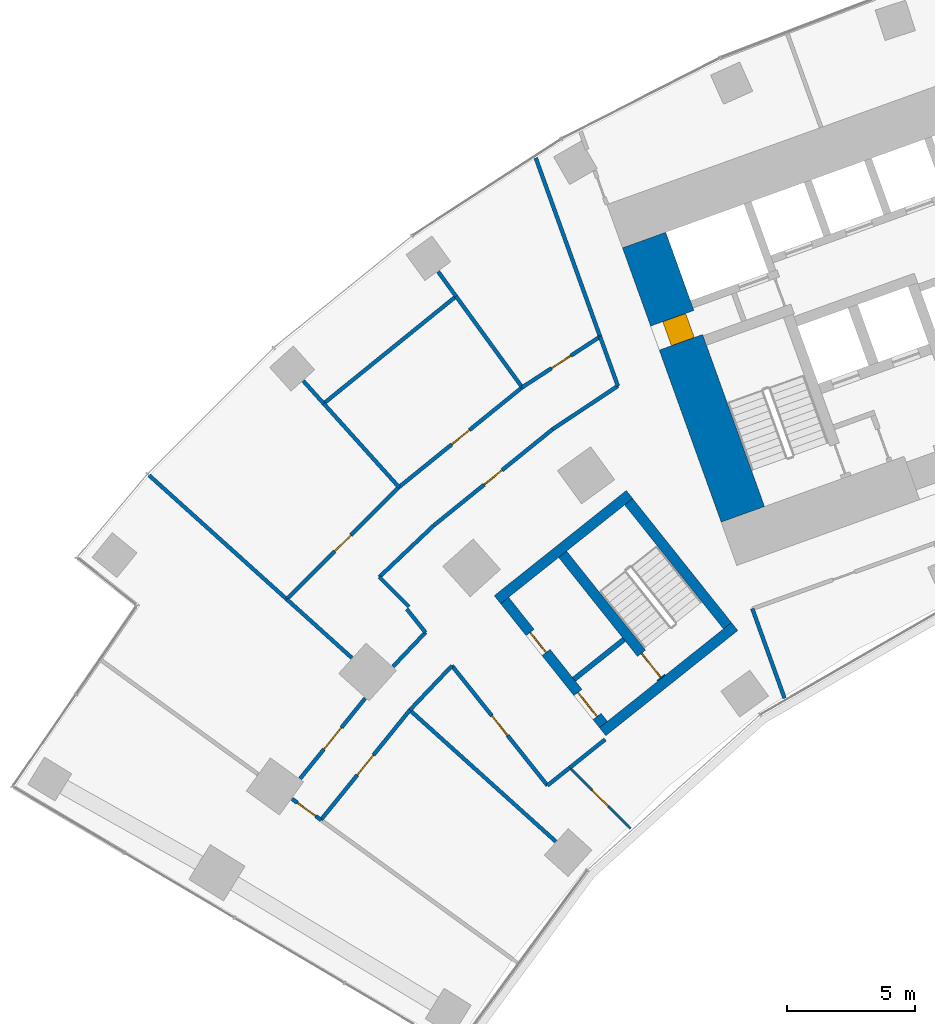
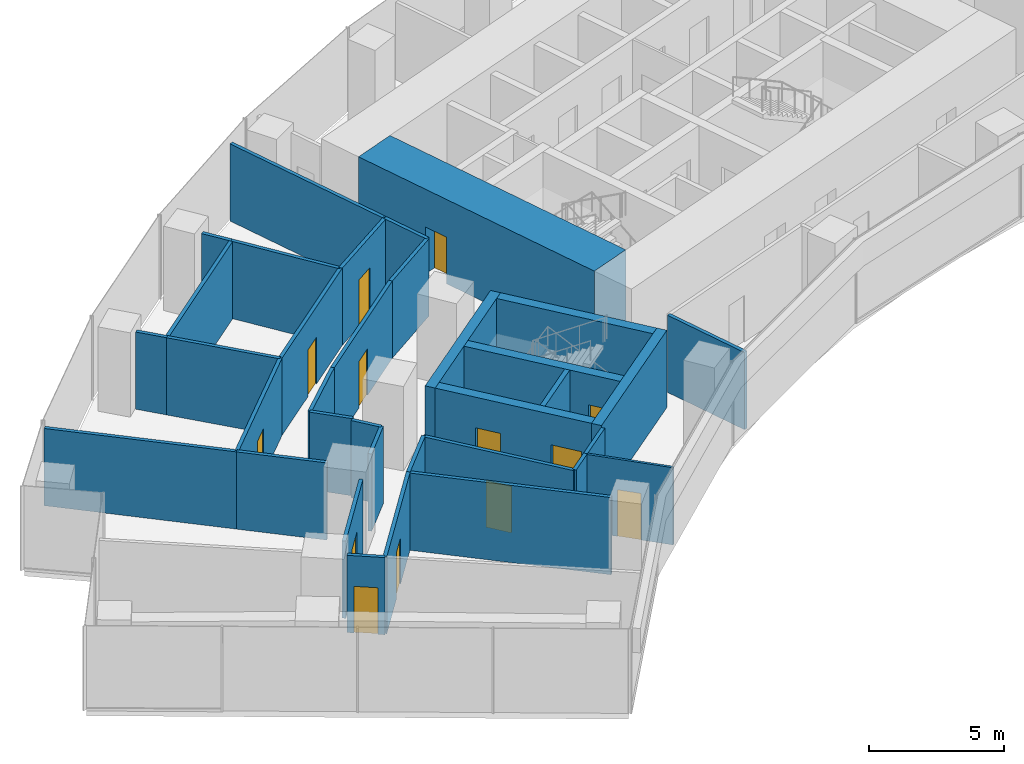
# One storey, part 14 of 21: 35 walls, 13 doors, 13 openings.
"""IFC4 building model written with IfcOpenShell, lengths in metres."""

from ifc_helpers import new_model, si_unit, direction, frame, frame_2d, origin, place, context, subcontext, project, spatial, rectangle, extrude, material, layer, layer_set, type_object, element, fill, save


model = new_model("IFC4")

# Units and contexts
model_context = context("Model", 3, precision=1e-05, world=origin(), true_north=direction((0.0, 1.0)))
body_context = subcontext(model_context, "Body", "Model", "MODEL_VIEW")
ifc_project = project(units=[si_unit("LENGTHUNIT", "METRE"), si_unit("AREAUNIT", "SQUARE_METRE"), si_unit("VOLUMEUNIT", "CUBIC_METRE"), si_unit("PLANEANGLEUNIT", "RADIAN"), si_unit("MASSUNIT", "GRAM", prefix="KILO")], contexts=[model_context])

# Site, building, storey
site_placement = place(None, origin())
site = spatial("IfcSite", under=ifc_project, at=site_placement, CompositionType="ELEMENT")
building_placement = place(site_placement, origin())
building = spatial("IfcBuilding", under=site, at=building_placement, Name="Stone Belt Terrace Tower", CompositionType="ELEMENT")
storey_placement = place(building_placement, frame((0.0, 0.0, 49.0)))
storey = spatial("IfcBuildingStorey", under=building, at=storey_placement, Name="L11", CompositionType="ELEMENT", Elevation=49.0)

# Wall, opening, door
ifc_material_1 = material(Name="Concrete B80", Category="concrete")
ifc_layer_1 = layer(ifc_material_1, 1.800048828125)
ifc_layer_set_1 = layer_set([ifc_layer_1], Name="Core wall 1800 B80")
wall_type_1 = type_object("IfcWallType", Name="Core wall 1800 B80", PredefinedType="SHEAR", material=ifc_layer_set_1)
wall_1_placement = place(storey_placement, frame((-26.197509765625, 42.96728515625, 0.0), z_axis=(0.0, 0.0, 1.0), x_axis=(-0.338625431531, 0.940921259788, 0.0)))
wall_1 = element("IfcWall", 1, at=wall_1_placement, inside=storey, type_object=wall_type_1, Name="Core A wall end_a L11", PredefinedType="SHEAR", context=body_context, shape_type="SweptSolid", body=[
    extrude(rectangle(XDim=11.400146484375, YDim=1.800048828125, at=frame_2d((5.7001953125, 0.0))), origin(), (0.0, 0.0, 1.0), 3.800048828125),
])
opening_1_placement = place(wall_1_placement, frame((7.150146484375, 0.0, 0.0)))
opening_1 = element("IfcOpeningElement", 2, at=opening_1_placement, cuts=wall_1, Name="Opening L11-C01", PredefinedType="OPENING", context=body_context, shape_type="SweptSolid", body=[
    extrude(rectangle(XDim=1.0, YDim=2.10009765625, at=frame_2d((0.5, 1.050048828125))), frame((0.0, 0.909912109375, 0.0), z_axis=(0.0, -1.0, 0.0), x_axis=(1.0, 0.0, 0.0)), (0.0, 0.0, 1.0), 1.820068359375),
])
ifc_material_2 = material(Name="Timber door leaf", Category="wood")
door_type_1 = type_object("IfcDoorType", Name="Core room door 1000", OperationType="SINGLE_SWING_LEFT", PredefinedType="DOOR", material=ifc_material_2)
door_1_placement = place(opening_1_placement, origin())
door_1 = element("IfcDoor", 3, at=door_1_placement, inside=storey, type_object=door_type_1, Name="Door to Telecommunications riser room core A", OperationType="SINGLE_SWING_RIGHT", OverallHeight=2.10009765625, OverallWidth=1.0, PredefinedType="DOOR", context=body_context, shape_type="SweptSolid", body=[
    extrude(rectangle(XDim=1.0, YDim=2.10009765625, at=frame_2d((0.5, 1.050048828125))), frame((0.0, 0.39501953125, 0.0), z_axis=(0.0, -1.0, 0.0), x_axis=(1.0, 0.0, 0.0)), (0.0, 0.0, 1.0), 0.949951171875),
])
fill(opening_1, door_1)

ifc_material_3 = material(Name="Gypsum board partition")
ifc_layer_2 = layer(ifc_material_3, 0.10009765625)
ifc_layer_set_2 = layer_set([ifc_layer_2], Name="PARTITION 100")
wall_type_2 = type_object("IfcWallType", Name="PARTITION 100", PredefinedType="PARTITIONING", material=ifc_layer_set_2)
wall_2_placement = place(storey_placement, frame((-32.968017578125, 33.06005859375, 0.0), z_axis=(0.0, 0.0, 1.0), x_axis=(0.706309715327, -0.707902949587, 0.0)))
wall_2 = element("IfcWall", 4, at=wall_2_placement, inside=storey, type_object=wall_type_2, Name="L11/wall/i049", PredefinedType="PARTITIONING", context=body_context, shape_type="SweptSolid", body=[
    extrude(rectangle(XDim=3.37109375, YDim=0.10009765625, at=frame_2d((1.685546875, 0.0))), origin(), (0.0, 0.0, 1.0), 3.47998046875),
])
opening_2_placement = place(wall_2_placement, frame((1.235595703125, 0.0, 0.0)))
opening_2 = element("IfcOpeningElement", 5, at=opening_2_placement, cuts=wall_2, Name="Opening D-A3-13", PredefinedType="OPENING", context=body_context, shape_type="SweptSolid", body=[
    extrude(rectangle(XDim=0.89990234375, YDim=2.10009765625, at=frame_2d((0.449951171875, 1.050048828125))), frame((0.0, 0.06005859375, 0.0), z_axis=(0.0, -1.0, 0.0), x_axis=(1.0, 0.0, 0.0)), (0.0, 0.0, 1.0), 0.1201171875),
])
door_type_2 = type_object("IfcDoorType", Name="OFFICE DOOR 900 X 2100", OperationType="NOTDEFINED", PredefinedType="DOOR", material=ifc_material_2)
door_2_placement = place(opening_2_placement, origin())
door_2 = element("IfcDoor", 6, at=door_2_placement, inside=storey, type_object=door_type_2, Name="L11/door/i13", OperationType="SINGLE_SWING_RIGHT", OverallHeight=2.10009765625, OverallWidth=0.89990234375, PredefinedType="DOOR", context=body_context, shape_type="SweptSolid", body=[
    extrude(rectangle(XDim=0.89990234375, YDim=2.10009765625, at=frame_2d((0.449951171875, 1.050048828125))), frame((0.0, 0.02490234375, 0.0), z_axis=(0.0, -1.0, 0.0), x_axis=(1.0, 0.0, 0.0)), (0.0, 0.0, 1.0), 0.050048828125),
])
fill(opening_2, door_2)

# Walls
ifc_layer_3 = layer(ifc_material_3, 0.14990234375)
ifc_layer_set_3 = layer_set([ifc_layer_3], Name="PARTITION 150 EI 60")
wall_type_3 = type_object("IfcWallType", Name="PARTITION 150 EI 60", PredefinedType="PARTITIONING", material=ifc_layer_set_3)
wall_3_placement = place(storey_placement, frame((-25.826904296875, 39.281005859375, 0.0), z_axis=(0.0, 0.0, 1.0), x_axis=(0.338392582605, -0.941005026574, 0.0)))
element("IfcWall", 7, at=wall_3_placement, inside=storey, type_object=wall_type_3, Name="L11/wall/i001", PredefinedType="PARTITIONING", context=body_context, shape_type="SweptSolid", body=[
    extrude(rectangle(XDim=3.729248046875, YDim=0.14990234375, at=frame_2d((1.86474609375, 0.0))), origin(), (0.0, 0.0, 1.0), 3.47998046875),
])
wall_4_placement = place(storey_placement, frame((-31.0830078125, 47.98193359375, 0.0), z_axis=(0.0, 0.0, 1.0), x_axis=(-0.338937449327, 0.940808910164, 0.0)))
element("IfcWall", 8, at=wall_4_placement, inside=storey, type_object=wall_type_3, Name="L11/wall/i004", PredefinedType="PARTITIONING", context=body_context, shape_type="SweptSolid", body=[
    extrude(rectangle(XDim=2.062255859375, YDim=0.14990234375, at=frame_2d((1.03125, 0.0))), origin(), (0.0, 0.0, 1.0), 3.47998046875),
])
wall_5_placement = place(storey_placement, frame((-31.778076171875, 49.909912109375, 0.0), z_axis=(0.0, 0.0, 1.0), x_axis=(-0.338711334353, 0.94089034004, 0.0)))
element("IfcWall", 9, at=wall_5_placement, inside=storey, type_object=wall_type_3, Name="L11/wall/i005", PredefinedType="PARTITIONING", context=body_context, shape_type="SweptSolid", body=[
    extrude(rectangle(XDim=7.43994140625, YDim=0.14990234375, at=frame_2d((3.719970703125, 0.0))), origin(), (0.0, 0.0, 1.0), 3.47998046875),
])

# Wall, opening, door
wall_6_placement = place(storey_placement, frame((-42.69091796875, 31.01611328125, 0.0), z_axis=(0.0, 0.0, 1.0), x_axis=(-0.809165251575, 0.587581139626, 0.0)))
wall_6 = element("IfcWall", 10, at=wall_6_placement, inside=storey, type_object=wall_type_3, Name="L11/wall/i034", PredefinedType="PARTITIONING", context=body_context, shape_type="SweptSolid", body=[
    extrude(rectangle(XDim=1.4013671875, YDim=0.14990234375, at=frame_2d((0.70068359375, 0.0))), origin(), (0.0, 0.0, 1.0), 3.47998046875),
])
opening_3_placement = place(wall_6_placement, frame((0.250732421875, 0.0, 0.0)))
opening_3 = element("IfcOpeningElement", 11, at=opening_3_placement, cuts=wall_6, Name="Opening D-A3-11", PredefinedType="OPENING", context=body_context, shape_type="SweptSolid", body=[
    extrude(rectangle(XDim=0.89990234375, YDim=2.10009765625, at=frame_2d((0.449951171875, 1.050048828125))), frame((0.0, 0.0849609375, 0.0), z_axis=(0.0, -1.0, 0.0), x_axis=(1.0, 0.0, 0.0)), (0.0, 0.0, 1.0), 0.169921875),
])
ifc_material_4 = material(Name="Timber fire door leaf", Category="wood")
door_type_3 = type_object("IfcDoorType", Name="TENANCY ENTRANCE DOOR 900 X 2100", OperationType="NOTDEFINED", PredefinedType="DOOR", material=ifc_material_4)
door_3_placement = place(opening_3_placement, origin())
door_3 = element("IfcDoor", 12, at=door_3_placement, inside=storey, type_object=door_type_3, Name="L11/door/i11", OperationType="SINGLE_SWING_RIGHT", OverallHeight=2.10009765625, OverallWidth=0.89990234375, PredefinedType="DOOR", context=body_context, shape_type="SweptSolid", body=[
    extrude(rectangle(XDim=0.89990234375, YDim=2.10009765625, at=frame_2d((0.449951171875, 1.050048828125))), frame((0.0, 0.02490234375, 0.0), z_axis=(0.0, -1.0, 0.0), x_axis=(1.0, 0.0, 0.0)), (0.0, 0.0, 1.0), 0.050048828125),
])
fill(opening_3, door_3)

# Walls
wall_7_placement = place(storey_placement, frame((-39.25, 39.35107421875, 0.0), z_axis=(0.0, 0.0, 1.0), x_axis=(-0.706216032574, 0.707996409126, 0.0)))
element("IfcWall", 13, at=wall_7_placement, inside=storey, type_object=wall_type_3, Name="L11/wall/i037", PredefinedType="PARTITIONING", context=body_context, shape_type="SweptSolid", body=[
    extrude(rectangle(XDim=1.6455078125, YDim=0.14990234375, at=frame_2d((0.82275390625, 0.0))), origin(), (0.0, 0.0, 1.0), 3.47998046875),
])
wall_8_placement = place(storey_placement, frame((-40.412109375, 40.51611328125, 0.0), z_axis=(0.0, 0.0, 1.0), x_axis=(0.725899989111, 0.687800265926, 0.0)))
element("IfcWall", 14, at=wall_8_placement, inside=storey, type_object=wall_type_3, Name="L11/wall/i038", PredefinedType="PARTITIONING", context=body_context, shape_type="SweptSolid", body=[
    extrude(rectangle(XDim=2.922119140625, YDim=0.14990234375, at=frame_2d((1.4609375, 0.0))), origin(), (0.0, 0.0, 1.0), 3.47998046875),
])

# Wall, opening, door
wall_9_placement = place(storey_placement, frame((-38.2900390625, 42.527099609375, 0.0), z_axis=(0.0, 0.0, 1.0), x_axis=(0.77714422733, 0.629322532513, 0.0)))
wall_9 = element("IfcWall", 15, at=wall_9_placement, inside=storey, type_object=wall_type_3, Name="L11/wall/i039", PredefinedType="PARTITIONING", context=body_context, shape_type="SweptSolid", body=[
    extrude(rectangle(XDim=5.98876953125, YDim=0.14990234375, at=frame_2d((2.994384765625, 0.0))), origin(), (0.0, 0.0, 1.0), 3.47998046875),
])
opening_4_placement = place(wall_9_placement, frame((2.54443359375, 0.0, 0.0)))
opening_4 = element("IfcOpeningElement", 16, at=opening_4_placement, cuts=wall_9, Name="Opening D-A3-15", PredefinedType="OPENING", context=body_context, shape_type="SweptSolid", body=[
    extrude(rectangle(XDim=0.89990234375, YDim=2.10009765625, at=frame_2d((0.449951171875, 1.050048828125))), frame((0.0, 0.0849609375, 0.0), z_axis=(0.0, -1.0, 0.0), x_axis=(1.0, 0.0, 0.0)), (0.0, 0.0, 1.0), 0.169921875),
])
door_4_placement = place(opening_4_placement, origin())
door_4 = element("IfcDoor", 17, at=door_4_placement, inside=storey, type_object=door_type_2, Name="L11/door/i15", OperationType="SINGLE_SWING_RIGHT", OverallHeight=2.10009765625, OverallWidth=0.89990234375, PredefinedType="DOOR", context=body_context, shape_type="SweptSolid", body=[
    extrude(rectangle(XDim=0.89990234375, YDim=2.10009765625, at=frame_2d((0.449951171875, 1.050048828125))), frame((0.0, 0.02490234375, 0.0), z_axis=(0.0, -1.0, 0.0), x_axis=(1.0, 0.0, 0.0)), (0.0, 0.0, 1.0), 0.050048828125),
])
fill(opening_4, door_4)

# Walls
wall_10_placement = place(storey_placement, frame((-33.635986328125, 46.2958984375, 0.0), z_axis=(0.0, 0.0, 1.0), x_axis=(0.833385857539, 0.552691607005, 0.0)))
element("IfcWall", 18, at=wall_10_placement, inside=storey, type_object=wall_type_3, Name="L11/wall/i040", PredefinedType="PARTITIONING", context=body_context, shape_type="SweptSolid", body=[
    extrude(rectangle(XDim=3.059814453125, YDim=0.14990234375, at=frame_2d((1.52978515625, 0.0))), origin(), (0.0, 0.0, 1.0), 3.47998046875),
])
wall_11_placement = place(storey_placement, frame((-37.56689453125, 37.052001953125, 0.0), z_axis=(0.0, 0.0, 1.0), x_axis=(-0.688757486719, -0.724991809946, 0.0)))
element("IfcWall", 19, at=wall_11_placement, inside=storey, type_object=wall_type_3, Name="L11/wall/i041", PredefinedType="PARTITIONING", context=body_context, shape_type="SweptSolid", body=[
    extrude(rectangle(XDim=2.398681640625, YDim=0.14990234375, at=frame_2d((1.19921875, 0.0))), origin(), (0.0, 0.0, 1.0), 3.47998046875),
])

# Wall, opening, door
wall_12_placement = place(storey_placement, frame((-39.218994140625, 35.31298828125, 0.0), z_axis=(0.0, 0.0, 1.0), x_axis=(-0.629393988906, -0.777086357318, 0.0)))
wall_12 = element("IfcWall", 20, at=wall_12_placement, inside=storey, type_object=wall_type_3, Name="L11/wall/i042", PredefinedType="PARTITIONING", context=body_context, shape_type="SweptSolid", body=[
    extrude(rectangle(XDim=5.5244140625, YDim=0.14990234375, at=frame_2d((2.76220703125, 0.0))), origin(), (0.0, 0.0, 1.0), 3.47998046875),
])
opening_5_placement = place(wall_12_placement, frame((2.26220703125, 0.0, 0.0)))
opening_5 = element("IfcOpeningElement", 21, at=opening_5_placement, cuts=wall_12, Name="Opening D-A3-14", PredefinedType="OPENING", context=body_context, shape_type="SweptSolid", body=[
    extrude(rectangle(XDim=1.0, YDim=2.10009765625, at=frame_2d((0.5, 1.050048828125))), frame((0.0, 0.0849609375, 0.0), z_axis=(0.0, -1.0, 0.0), x_axis=(1.0, 0.0, 0.0)), (0.0, 0.0, 1.0), 0.169921875),
])
door_type_4 = type_object("IfcDoorType", Name="TENANCY ENTRANCE DOOR 1000 X 2100", OperationType="NOTDEFINED", PredefinedType="DOOR", material=ifc_material_4)
door_5_placement = place(opening_5_placement, origin())
door_5 = element("IfcDoor", 22, at=door_5_placement, inside=storey, type_object=door_type_4, Name="L11/door/i14", OperationType="SINGLE_SWING_RIGHT", OverallHeight=2.10009765625, OverallWidth=1.0, PredefinedType="DOOR", context=body_context, shape_type="SweptSolid", body=[
    extrude(rectangle(XDim=1.0, YDim=2.10009765625, at=frame_2d((0.5, 1.050048828125))), frame((0.0, 0.02490234375, 0.0), z_axis=(0.0, -1.0, 0.0), x_axis=(1.0, 0.0, 0.0)), (0.0, 0.0, 1.0), 0.050048828125),
])
fill(opening_5, door_5)

# Wall
wall_13_placement = place(storey_placement, frame((-39.873779296875, 37.019287109375, 0.0), z_axis=(0.0, 0.0, 1.0), x_axis=(0.688718115667, 0.72502921124, 0.0)))
element("IfcWall", 23, at=wall_13_placement, inside=storey, type_object=wall_type_3, Name="L11/wall/i043", PredefinedType="PARTITIONING", context=body_context, shape_type="SweptSolid", body=[
    extrude(rectangle(XDim=1.84228515625, YDim=0.14990234375, at=frame_2d((0.921142578125, 0.0))), origin(), (0.0, 0.0, 1.0), 3.47998046875),
])

# Wall, opening, door
wall_14_placement = place(storey_placement, frame((-43.5078125, 32.63623046875, 0.0), z_axis=(0.0, 0.0, 1.0), x_axis=(0.629347927528, 0.777123662049, 0.0)))
wall_14 = element("IfcWall", 24, at=wall_14_placement, inside=storey, type_object=wall_type_3, Name="L11/wall/i044", PredefinedType="PARTITIONING", context=body_context, shape_type="SweptSolid", body=[
    extrude(rectangle(XDim=4.034423828125, YDim=0.14990234375, at=frame_2d((2.01708984375, 0.0))), origin(), (0.0, 0.0, 1.0), 3.47998046875),
])
opening_6_placement = place(wall_14_placement, frame((1.46728515625, 0.0, 0.0)))
opening_6 = element("IfcOpeningElement", 25, at=opening_6_placement, cuts=wall_14, Name="Opening D-A3-19", PredefinedType="OPENING", context=body_context, shape_type="SweptSolid", body=[
    extrude(rectangle(XDim=1.10009765625, YDim=2.10009765625, at=frame_2d((0.550048828125, 1.050048828125))), frame((0.0, 0.0849609375, 0.0), z_axis=(0.0, -1.0, 0.0), x_axis=(1.0, 0.0, 0.0)), (0.0, 0.0, 1.0), 0.169921875),
])
ifc_material_5 = material(Name="Steel fire door set", Category="steel")
door_type_5 = type_object("IfcDoorType", Name="SERVICE ROOM DOOR 1100 X 2100", OperationType="NOTDEFINED", PredefinedType="DOOR", material=ifc_material_5)
door_6_placement = place(opening_6_placement, origin())
door_6 = element("IfcDoor", 26, at=door_6_placement, inside=storey, type_object=door_type_5, Name="L11/door/i19", OperationType="SINGLE_SWING_RIGHT", OverallHeight=2.10009765625, OverallWidth=1.10009765625, PredefinedType="DOOR", context=body_context, shape_type="SweptSolid", body=[
    extrude(rectangle(XDim=1.10009765625, YDim=2.10009765625, at=frame_2d((0.550048828125, 1.050048828125))), frame((0.0, 0.02490234375, 0.0), z_axis=(0.0, -1.0, 0.0), x_axis=(1.0, 0.0, 0.0)), (0.0, 0.0, 1.0), 0.050048828125),
])
fill(opening_6, door_6)

# Wall
wall_15_placement = place(storey_placement, frame((-32.962890625, 33.06298828125, 0.0), z_axis=(0.0, 0.0, 1.0), x_axis=(-0.782502176307, -0.622647849169, 0.0)))
element("IfcWall", 27, at=wall_15_placement, inside=storey, type_object=wall_type_3, Name="L11/wall/i045", PredefinedType="PARTITIONING", context=body_context, shape_type="SweptSolid", body=[
    extrude(rectangle(XDim=1.12109375, YDim=0.14990234375, at=frame_2d((0.560546875, 0.0))), origin(), (0.0, 0.0, 1.0), 3.47998046875),
])

# Wall, opening, door
wall_16_placement = place(storey_placement, frame((-33.840087890625, 32.364990234375, 0.0), z_axis=(0.0, 0.0, 1.0), x_axis=(-0.623112520353, 0.782132205563, 0.0)))
wall_16 = element("IfcWall", 28, at=wall_16_placement, inside=storey, type_object=wall_type_3, Name="L11/wall/i046", PredefinedType="PARTITIONING", context=body_context, shape_type="SweptSolid", body=[
    extrude(rectangle(XDim=5.987548828125, YDim=0.14990234375, at=frame_2d((2.99365234375, 0.0))), origin(), (0.0, 0.0, 1.0), 3.47998046875),
])
opening_7_placement = place(wall_16_placement, frame((2.493896484375, 0.0, 0.0)))
opening_7 = element("IfcOpeningElement", 29, at=opening_7_placement, cuts=wall_16, Name="Opening D-A3-12", PredefinedType="OPENING", context=body_context, shape_type="SweptSolid", body=[
    extrude(rectangle(XDim=1.0, YDim=2.10009765625, at=frame_2d((0.5, 1.050048828125))), frame((0.0, 0.0849609375, 0.0), z_axis=(0.0, -1.0, 0.0), x_axis=(1.0, 0.0, 0.0)), (0.0, 0.0, 1.0), 0.169921875),
])
door_7_placement = place(opening_7_placement, origin())
door_7 = element("IfcDoor", 30, at=door_7_placement, inside=storey, type_object=door_type_4, Name="L11/door/i12", OperationType="SINGLE_SWING_RIGHT", OverallHeight=2.10009765625, OverallWidth=1.0, PredefinedType="DOOR", context=body_context, shape_type="SweptSolid", body=[
    extrude(rectangle(XDim=1.0, YDim=2.10009765625, at=frame_2d((0.5, 1.050048828125))), frame((0.0, 0.02490234375, 0.0), z_axis=(0.0, -1.0, 0.0), x_axis=(1.0, 0.0, 0.0)), (0.0, 0.0, 1.0), 0.050048828125),
])
fill(opening_7, door_7)

# Walls
wall_17_placement = place(storey_placement, frame((-31.5810546875, 34.1650390625, 0.0), z_axis=(0.0, 0.0, 1.0), x_axis=(-0.781845256464, -0.623472529422, 0.0)))
element("IfcWall", 31, at=wall_17_placement, inside=storey, type_object=wall_type_3, Name="L11/wall/i047", PredefinedType="PARTITIONING", context=body_context, shape_type="SweptSolid", body=[
    extrude(rectangle(XDim=1.779052734375, YDim=0.14990234375, at=frame_2d((0.8896484375, 0.0))), origin(), (0.0, 0.0, 1.0), 3.47998046875),
])
wall_18_placement = place(storey_placement, frame((-38.60888671875, 38.35009765625, 0.0), z_axis=(0.0, 0.0, 1.0), x_axis=(-0.623044650104, 0.782186271917, 0.0)))
element("IfcWall", 32, at=wall_18_placement, inside=storey, type_object=wall_type_3, Name="L11/wall/i048", PredefinedType="PARTITIONING", context=body_context, shape_type="SweptSolid", body=[
    extrude(rectangle(XDim=1.173583984375, YDim=0.14990234375, at=frame_2d((0.5869140625, 0.0))), origin(), (0.0, 0.0, 1.0), 3.47998046875),
])
wall_19_placement = place(storey_placement, frame((-33.515869140625, 30.177734375, 0.0), z_axis=(0.0, 0.0, 1.0), x_axis=(-0.743135942629, 0.669140471629, 0.0)))
element("IfcWall", 33, at=wall_19_placement, inside=storey, type_object=wall_type_3, Name="L11/wall/i050", PredefinedType="PARTITIONING", context=body_context, shape_type="SweptSolid", body=[
    extrude(rectangle(XDim=7.67431640625, YDim=0.14990234375, at=frame_2d((3.837158203125, 0.0))), origin(), (0.0, 0.0, 1.0), 3.47998046875),
])

# Wall, opening, door
wall_20_placement = place(storey_placement, frame((-44.030029296875, 39.64599609375, 0.0), z_axis=(0.0, 0.0, 1.0), x_axis=(0.707106781187, 0.707106781187, 0.0)))
wall_20 = element("IfcWall", 34, at=wall_20_placement, inside=storey, type_object=wall_type_3, Name="L11/wall/i051", PredefinedType="PARTITIONING", context=body_context, shape_type="SweptSolid", body=[
    extrude(rectangle(XDim=6.201416015625, YDim=0.14990234375, at=frame_2d((3.1005859375, 0.0))), origin(), (0.0, 0.0, 1.0), 3.47998046875),
])
opening_8_placement = place(wall_20_placement, frame((2.650634765625, 0.0, 0.0)))
opening_8 = element("IfcOpeningElement", 35, at=opening_8_placement, cuts=wall_20, Name="Opening D-A3-16", PredefinedType="OPENING", context=body_context, shape_type="SweptSolid", body=[
    extrude(rectangle(XDim=0.89990234375, YDim=2.10009765625, at=frame_2d((0.449951171875, 1.050048828125))), frame((0.0, 0.0849609375, 0.0), z_axis=(0.0, -1.0, 0.0), x_axis=(1.0, 0.0, 0.0)), (0.0, 0.0, 1.0), 0.169921875),
])
door_8_placement = place(opening_8_placement, origin())
door_8 = element("IfcDoor", 36, at=door_8_placement, inside=storey, type_object=door_type_2, Name="L11/door/i16", OperationType="SINGLE_SWING_RIGHT", OverallHeight=2.10009765625, OverallWidth=0.89990234375, PredefinedType="DOOR", context=body_context, shape_type="SweptSolid", body=[
    extrude(rectangle(XDim=0.89990234375, YDim=2.10009765625, at=frame_2d((0.449951171875, 1.050048828125))), frame((0.0, 0.02490234375, 0.0), z_axis=(0.0, -1.0, 0.0), x_axis=(1.0, 0.0, 0.0)), (0.0, 0.0, 1.0), 0.050048828125),
])
fill(opening_8, door_8)

wall_21_placement = place(storey_placement, frame((-39.64404296875, 44.031982421875, 0.0), z_axis=(0.0, 0.0, 1.0), x_axis=(0.777109136124, 0.629365863829, 0.0)))
wall_21 = element("IfcWall", 37, at=wall_21_placement, inside=storey, type_object=wall_type_3, Name="L11/wall/i052", PredefinedType="PARTITIONING", context=body_context, shape_type="SweptSolid", body=[
    extrude(rectangle(XDim=6.199951171875, YDim=0.14990234375, at=frame_2d((3.10009765625, 0.0))), origin(), (0.0, 0.0, 1.0), 3.47998046875),
])
opening_9_placement = place(wall_21_placement, frame((2.64990234375, 0.0, 0.0)))
opening_9 = element("IfcOpeningElement", 38, at=opening_9_placement, cuts=wall_21, Name="Opening D-A3-17", PredefinedType="OPENING", context=body_context, shape_type="SweptSolid", body=[
    extrude(rectangle(XDim=0.89990234375, YDim=2.10009765625, at=frame_2d((0.449951171875, 1.050048828125))), frame((0.0, 0.0849609375, 0.0), z_axis=(0.0, -1.0, 0.0), x_axis=(1.0, 0.0, 0.0)), (0.0, 0.0, 1.0), 0.169921875),
])
door_9_placement = place(opening_9_placement, origin())
door_9 = element("IfcDoor", 39, at=door_9_placement, inside=storey, type_object=door_type_2, Name="L11/door/i17", OperationType="SINGLE_SWING_RIGHT", OverallHeight=2.10009765625, OverallWidth=0.89990234375, PredefinedType="DOOR", context=body_context, shape_type="SweptSolid", body=[
    extrude(rectangle(XDim=0.89990234375, YDim=2.10009765625, at=frame_2d((0.449951171875, 1.050048828125))), frame((0.0, 0.02490234375, 0.0), z_axis=(0.0, -1.0, 0.0), x_axis=(1.0, 0.0, 0.0)), (0.0, 0.0, 1.0), 0.050048828125),
])
fill(opening_9, door_9)

wall_22_placement = place(storey_placement, frame((-34.825927734375, 47.93408203125, 0.0), z_axis=(0.0, 0.0, 1.0), x_axis=(0.838179507416, 0.545394456653, 0.0)))
wall_22 = element("IfcWall", 40, at=wall_22_placement, inside=storey, type_object=wall_type_3, Name="L11/wall/i053", PredefinedType="PARTITIONING", context=body_context, shape_type="SweptSolid", body=[
    extrude(rectangle(XDim=3.634033203125, YDim=0.14990234375, at=frame_2d((1.81689453125, 0.0))), origin(), (0.0, 0.0, 1.0), 3.47998046875),
])
opening_10_placement = place(wall_22_placement, frame((1.366943359375, 0.0, 0.0)))
opening_10 = element("IfcOpeningElement", 41, at=opening_10_placement, cuts=wall_22, Name="Opening D-A3-18", PredefinedType="OPENING", context=body_context, shape_type="SweptSolid", body=[
    extrude(rectangle(XDim=0.89990234375, YDim=2.10009765625, at=frame_2d((0.449951171875, 1.050048828125))), frame((0.0, 0.0849609375, 0.0), z_axis=(0.0, -1.0, 0.0), x_axis=(1.0, 0.0, 0.0)), (0.0, 0.0, 1.0), 0.169921875),
])
door_10_placement = place(opening_10_placement, origin())
door_10 = element("IfcDoor", 42, at=door_10_placement, inside=storey, type_object=door_type_2, Name="L11/door/i18", OperationType="SINGLE_SWING_RIGHT", OverallHeight=2.10009765625, OverallWidth=0.89990234375, PredefinedType="DOOR", context=body_context, shape_type="SweptSolid", body=[
    extrude(rectangle(XDim=0.89990234375, YDim=2.10009765625, at=frame_2d((0.449951171875, 1.050048828125))), frame((0.0, 0.02490234375, 0.0), z_axis=(0.0, -1.0, 0.0), x_axis=(1.0, 0.0, 0.0)), (0.0, 0.0, 1.0), 0.050048828125),
])
fill(opening_10, door_10)

# Walls
wall_23_placement = place(storey_placement, frame((-41.489990234375, 37.357421875, 0.0), z_axis=(0.0, 0.0, 1.0), x_axis=(-0.742924764927, 0.669374927569, 0.0)))
element("IfcWall", 43, at=wall_23_placement, inside=storey, type_object=wall_type_3, Name="L11/wall/i054", PredefinedType="PARTITIONING", context=body_context, shape_type="SweptSolid", body=[
    extrude(rectangle(XDim=3.4189453125, YDim=0.14990234375, at=frame_2d((1.70947265625, 0.0))), origin(), (0.0, 0.0, 1.0), 3.47998046875),
])
wall_24_placement = place(storey_placement, frame((-42.593017578125, 47.304931640625, 0.0), z_axis=(0.0, 0.0, 1.0), x_axis=(0.669148410698, -0.743128793992, 0.0)))
element("IfcWall", 44, at=wall_24_placement, inside=storey, type_object=wall_type_3, Name="L11/wall/i055", PredefinedType="PARTITIONING", context=body_context, shape_type="SweptSolid", body=[
    extrude(rectangle(XDim=4.405517578125, YDim=0.14990234375, at=frame_2d((2.20263671875, 0.0))), origin(), (0.0, 0.0, 1.0), 3.47998046875),
])
wall_25_placement = place(storey_placement, frame((-43.382080078125, 48.18115234375, 0.0), z_axis=(0.0, 0.0, 1.0), x_axis=(0.669145878726, -0.743131073892, 0.0)))
element("IfcWall", 45, at=wall_25_placement, inside=storey, type_object=wall_type_3, Name="L11/wall/i056", PredefinedType="PARTITIONING", context=body_context, shape_type="SweptSolid", body=[
    extrude(rectangle(XDim=1.191162109375, YDim=0.14990234375, at=frame_2d((0.595703125, 0.0))), origin(), (0.0, 0.0, 1.0), 3.47998046875),
])
wall_26_placement = place(storey_placement, frame((-44.030029296875, 39.64599609375, 0.0), z_axis=(0.0, 0.0, 1.0), x_axis=(-0.74319367285, 0.669076351874, 0.0)))
element("IfcWall", 46, at=wall_26_placement, inside=storey, type_object=wall_type_3, Name="L11/wall/i057", PredefinedType="PARTITIONING", context=body_context, shape_type="SweptSolid", body=[
    extrude(rectangle(XDim=7.25, YDim=0.14990234375, at=frame_2d((3.625, 0.0))), origin(), (0.0, 0.0, 1.0), 3.47998046875),
])
wall_27_placement = place(storey_placement, frame((-42.589111328125, 47.301025390625, 0.0), z_axis=(0.0, 0.0, 1.0), x_axis=(0.777172317777, 0.629287842312, 0.0)))
element("IfcWall", 47, at=wall_27_placement, inside=storey, type_object=wall_type_3, Name="L11/wall/i058", PredefinedType="PARTITIONING", context=body_context, shape_type="SweptSolid", body=[
    extrude(rectangle(XDim=6.661376953125, YDim=0.14990234375, at=frame_2d((3.33056640625, 0.0))), origin(), (0.0, 0.0, 1.0), 3.47998046875),
])
wall_28_placement = place(storey_placement, frame((-37.412109375, 51.492919921875, 0.0), z_axis=(0.0, 0.0, 1.0), x_axis=(0.58786477972, -0.808959208344, 0.0)))
element("IfcWall", 48, at=wall_28_placement, inside=storey, type_object=wall_type_3, Name="L11/wall/i059", PredefinedType="PARTITIONING", context=body_context, shape_type="SweptSolid", body=[
    extrude(rectangle(XDim=4.399169921875, YDim=0.14990234375, at=frame_2d((2.19970703125, 0.0))), origin(), (0.0, 0.0, 1.0), 3.47998046875),
])
wall_29_placement = place(storey_placement, frame((-38.1083984375, 52.45166015625, 0.0), z_axis=(0.0, 0.0, 1.0), x_axis=(0.587632515929, -0.809127941813, 0.0)))
element("IfcWall", 49, at=wall_29_placement, inside=storey, type_object=wall_type_3, Name="L11/wall/i060", PredefinedType="PARTITIONING", context=body_context, shape_type="SweptSolid", body=[
    extrude(rectangle(XDim=1.184814453125, YDim=0.14990234375, at=frame_2d((0.59228515625, 0.0))), origin(), (0.0, 0.0, 1.0), 3.47998046875),
])
ifc_material_6 = material(Name="Concrete masonry block", Category="masonry")
ifc_layer_4 = layer(ifc_material_6, 0.199951171875)
ifc_layer_set_4 = layer_set([ifc_layer_4], Name="Rated lobby wall 200")
wall_type_4 = type_object("IfcWallType", Name="Rated lobby wall 200", PredefinedType="PARTITIONING", material=ifc_layer_set_4)
wall_30_placement = place(storey_placement, frame((-30.845703125, 38.074951171875, 0.0), z_axis=(0.0, 0.0, 1.0), x_axis=(-0.782115323833, -0.623133709749, 0.0)))
element("IfcWall", 50, at=wall_30_placement, inside=storey, type_object=wall_type_4, Name="Exit stair ST3A wall", PredefinedType="PARTITIONING", context=body_context, shape_type="SweptSolid", body=[
    extrude(rectangle(XDim=2.5, YDim=0.199951171875, at=frame_2d((1.25, 0.0))), origin(), (0.0, 0.0, 1.0), 3.47998046875),
])
ifc_layer_5 = layer(ifc_material_1, 0.39990234375)
ifc_layer_set_5 = layer_set([ifc_layer_5], Name="Stair enclosure wall 400")
wall_type_5 = type_object("IfcWallType", Name="Stair enclosure wall 400", PredefinedType="SHEAR", material=ifc_layer_set_5)
for number, where, z_axis, x_axis, name in (
    (51, (-26.518798828125, 38.58154296875, 0.0), (0.0, 0.0, 1.0), (-0.782133914161, -0.623110375711, 0.0), "Exit stair ST3A wall"),
    (52, (-30.63134765625, 43.74365234375, 0.0), (0.0, 0.0, 1.0), (-0.782133914161, -0.623110375711, 0.0), "Exit stair ST3A wall"),
):
    element("IfcWall", number, at=place(storey_placement, frame(where, z_axis=z_axis, x_axis=x_axis)), inside=storey, type_object=wall_type_5, Name=name, PredefinedType="SHEAR", context=body_context, shape_type="SweptSolid", body=[
        extrude(rectangle(XDim=6.60009765625, YDim=0.39990234375, at=frame_2d((3.300048828125, 0.0))), origin(), (0.0, 0.0, 1.0), 3.47998046875),
    ])
wall_31_placement = place(storey_placement, frame((-26.7998046875, 38.61328125, 0.0), z_axis=(0.0, 0.0, 1.0), x_axis=(-0.623118653668, 0.782127319208, 0.0)))
element("IfcWall", 53, at=wall_31_placement, inside=storey, type_object=wall_type_5, Name="Exit stair ST3A wall", PredefinedType="SHEAR", context=body_context, shape_type="SweptSolid", body=[
    extrude(rectangle(XDim=6.199951171875, YDim=0.39990234375, at=frame_2d((3.10009765625, 0.0))), origin(), (0.0, 0.0, 1.0), 3.47998046875),
])

# Wall, openings, doors
wall_32_placement = place(storey_placement, frame((-31.64892578125, 34.75, 0.0), z_axis=(0.0, 0.0, 1.0), x_axis=(-0.623118653668, 0.782127319208, 0.0)))
wall_32 = element("IfcWall", 54, at=wall_32_placement, inside=storey, type_object=wall_type_5, Name="Exit stair ST3A wall", PredefinedType="SHEAR", context=body_context, shape_type="SweptSolid", body=[
    extrude(rectangle(XDim=6.199951171875, YDim=0.39990234375, at=frame_2d((3.10009765625, 0.0))), origin(), (0.0, 0.0, 1.0), 3.47998046875),
])
opening_11_placement = place(wall_32_placement, frame((0.39990234375, 0.0, 0.0)))
opening_11 = element("IfcOpeningElement", 55, at=opening_11_placement, cuts=wall_32, Name="Opening L11-C24", PredefinedType="OPENING", context=body_context, shape_type="SweptSolid", body=[
    extrude(rectangle(XDim=1.199951171875, YDim=2.10009765625, at=frame_2d((0.60009765625, 1.050048828125))), frame((0.0, 0.2099609375, 0.0), z_axis=(0.0, -1.0, 0.0), x_axis=(1.0, 0.0, 0.0)), (0.0, 0.0, 1.0), 0.419921875),
])
opening_12_placement = place(wall_32_placement, frame((3.60009765625, 0.0, 0.0)))
opening_12 = element("IfcOpeningElement", 56, at=opening_12_placement, cuts=wall_32, Name="Opening L11-C25", PredefinedType="OPENING", context=body_context, shape_type="SweptSolid", body=[
    extrude(rectangle(XDim=1.0, YDim=2.10009765625, at=frame_2d((0.5, 1.050048828125))), frame((0.0, 0.2099609375, 0.0), z_axis=(0.0, -1.0, 0.0), x_axis=(1.0, 0.0, 0.0)), (0.0, 0.0, 1.0), 0.419921875),
])
door_11_placement = place(opening_12_placement, origin())
door_11 = element("IfcDoor", 57, at=door_11_placement, inside=storey, type_object=door_type_1, Name="Door to stair pressurisation plant room ST3A", OperationType="SINGLE_SWING_RIGHT", OverallHeight=2.10009765625, OverallWidth=1.0, PredefinedType="DOOR", context=body_context, shape_type="SweptSolid", body=[
    extrude(rectangle(XDim=1.0, YDim=2.10009765625, at=frame_2d((0.5, 1.050048828125))), frame((0.0, 0.02490234375, 0.0), z_axis=(0.0, -1.0, 0.0), x_axis=(1.0, 0.0, 0.0)), (0.0, 0.0, 1.0), 0.050048828125),
])
fill(opening_12, door_11)
ifc_material_7 = material(Name="Steel door leaf", Category="steel")
door_type_6 = type_object("IfcDoorType", Name="Stair airlock door 1200", OperationType="SINGLE_SWING_LEFT", PredefinedType="DOOR", material=ifc_material_7)
door_12_placement = place(opening_11_placement, origin())
door_12 = element("IfcDoor", 58, at=door_12_placement, inside=storey, type_object=door_type_6, Name="Stair airlock door ST3A", OperationType="SINGLE_SWING_RIGHT", OverallHeight=2.10009765625, OverallWidth=1.199951171875, PredefinedType="DOOR", context=body_context, shape_type="SweptSolid", body=[
    extrude(rectangle(XDim=1.199951171875, YDim=2.10009765625, at=frame_2d((0.60009765625, 1.050048828125))), frame((0.0, 0.02490234375, 0.0), z_axis=(0.0, -1.0, 0.0), x_axis=(1.0, 0.0, 0.0)), (0.0, 0.0, 1.0), 0.050048828125),
])
fill(opening_11, door_12)

# Wall, opening, door
wall_33_placement = place(storey_placement, frame((-29.380859375, 36.556884765625, 0.0), z_axis=(0.0, 0.0, 1.0), x_axis=(-0.623099462847, 0.782142608097, 0.0)))
wall_33 = element("IfcWall", 59, at=wall_33_placement, inside=storey, type_object=wall_type_5, Name="Exit stair ST3A wall", PredefinedType="SHEAR", context=body_context, shape_type="SweptSolid", body=[
    extrude(rectangle(XDim=6.2001953125, YDim=0.39990234375, at=frame_2d((3.10009765625, 0.0))), origin(), (0.0, 0.0, 1.0), 3.47998046875),
])
opening_13_placement = place(wall_33_placement, frame((0.050048828125, 0.0, 0.0)))
opening_13 = element("IfcOpeningElement", 60, at=opening_13_placement, cuts=wall_33, Name="Opening L11-C23", PredefinedType="OPENING", context=body_context, shape_type="SweptSolid", body=[
    extrude(rectangle(XDim=1.199951171875, YDim=2.10009765625, at=frame_2d((0.60009765625, 1.050048828125))), frame((0.0, 0.2099609375, 0.0), z_axis=(0.0, -1.0, 0.0), x_axis=(1.0, 0.0, 0.0)), (0.0, 0.0, 1.0), 0.419921875),
])
door_type_7 = type_object("IfcDoorType", Name="Stair door 1200", OperationType="SINGLE_SWING_LEFT", PredefinedType="DOOR", material=ifc_material_7)
door_13_placement = place(opening_13_placement, origin())
door_13 = element("IfcDoor", 61, at=door_13_placement, inside=storey, type_object=door_type_7, Name="Stair door ST3A", OperationType="SINGLE_SWING_LEFT", OverallHeight=2.10009765625, OverallWidth=1.199951171875, PredefinedType="DOOR", context=body_context, shape_type="SweptSolid", body=[
    extrude(rectangle(XDim=1.199951171875, YDim=2.10009765625, at=frame_2d((0.60009765625, 1.050048828125))), frame((0.0, 0.02490234375, 0.0), z_axis=(0.0, -1.0, 0.0), x_axis=(1.0, 0.0, 0.0)), (0.0, 0.0, 1.0), 0.050048828125),
])
fill(opening_13, door_13)

save(model, "model.ifc")
